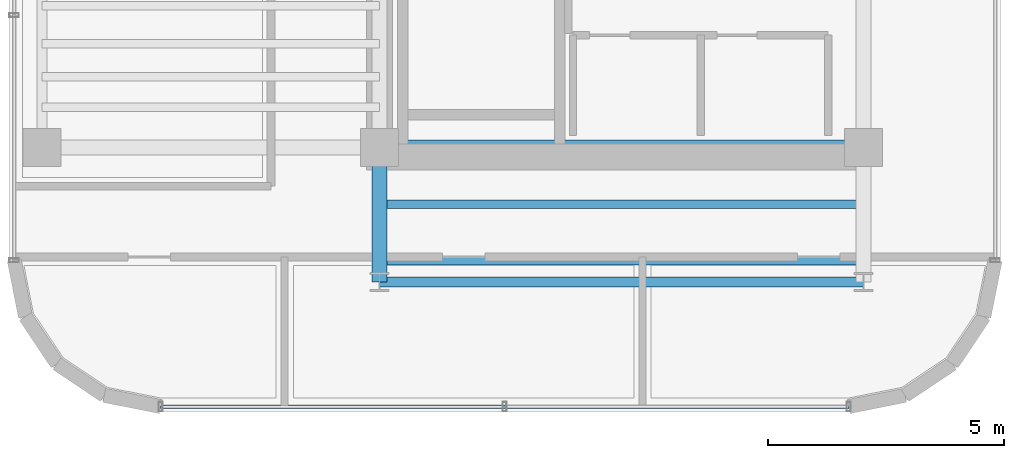
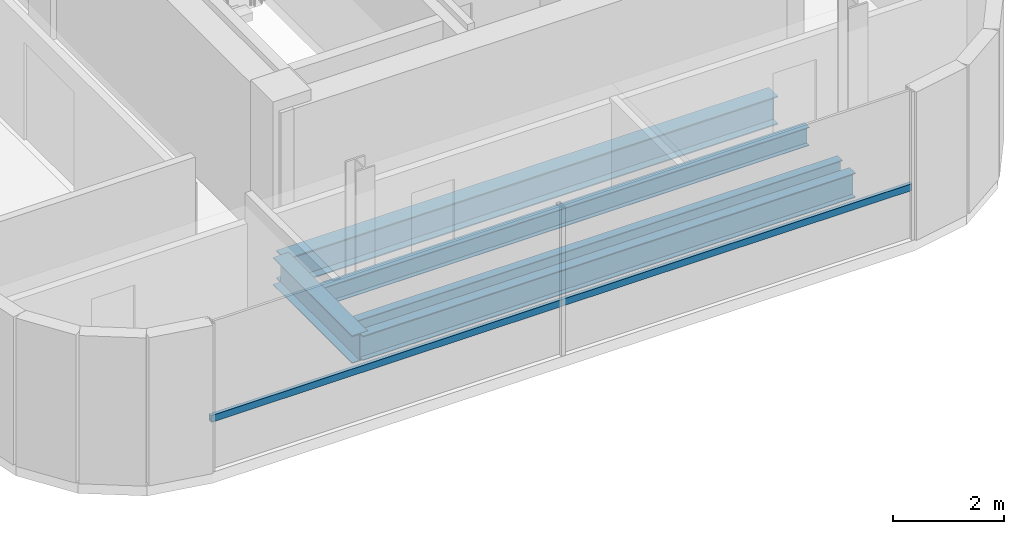
# One storey, part 3 of 18: 5 beams, 1 member, 1 element without a shape of its own.
"""IFC4 building model written with IfcOpenShell, lengths in metres."""

from ifc_helpers import new_model, si_unit, direction, frame, origin, origin_2d, place, context, subcontext, project, spatial, hollow_rectangle, i_section, extrude, source, transform, mapped, material, material_profile, profile_set, type_object, element, aggregate, save


model = new_model("IFC4")

# Units and contexts
model_context = context("Model", 3, precision=1e-05, world=origin(), true_north=direction((0.0, 1.0)))
body_context = subcontext(model_context, "Body", "Model", "MODEL_VIEW")
ifc_project = project(units=[si_unit("LENGTHUNIT", "METRE"), si_unit("AREAUNIT", "SQUARE_METRE"), si_unit("VOLUMEUNIT", "CUBIC_METRE"), si_unit("PLANEANGLEUNIT", "RADIAN"), si_unit("MASSUNIT", "GRAM", prefix="KILO")], contexts=[model_context])

# Site, building, storey
site_placement = place(None, origin())
site = spatial("IfcSite", under=ifc_project, at=site_placement, CompositionType="ELEMENT")
building_placement = place(site_placement, origin())
building = spatial("IfcBuilding", under=site, at=building_placement, Name="Valdorenza Pilgrim Sanctuary Tower", CompositionType="ELEMENT")
storey_placement = place(building_placement, frame((0.0, 0.0, 273.0)))
storey = spatial("IfcBuildingStorey", under=building, at=storey_placement, Name="L71", CompositionType="ELEMENT", Elevation=273.0)

# Beams
ifc_material_1 = material(Name="Steel ASTM A992 Grade 50", Category="steel")
ifc_material_profile_1 = material_profile(ifc_material_1, i_section(OverallWidth=0.323974609375, OverallDepth=0.611083984375, WebThickness=0.0126953125, FlangeThickness=0.01904296875, at=origin_2d()), Name="W24X104")
ifc_profile_set_1 = profile_set([ifc_material_profile_1], Name="Steel ASTM A992 Grade 50")
beam_type_1 = type_object("IfcBeamType", Name="STR-BM-GRD-W24B", PredefinedType="BEAM", material=ifc_profile_set_1)
shared_shape_1 = source(origin(), body_context, "Body", "SweptSolid", [
    extrude(i_section(OverallWidth=0.323974609375, OverallDepth=0.611083984375, WebThickness=0.0126953125, FlangeThickness=0.01904296875, at=origin_2d()), origin(), (0.0, 0.0, 1.0), 2.849853515625),
])
beam_1_placement = place(storey_placement, frame((-22.64990234375, -13.449951171875, -0.54541015625), z_axis=(0.0, 1.0, 0.0), x_axis=(-1.0, 0.0, 0.0)))
element("IfcBeam", 1, at=beam_1_placement, inside=storey, type_object=beam_type_1, Name="L71 Floor Girder WA-S-LW", PredefinedType="BEAM", context=body_context, shape_type="MappedRepresentation", body=[
    mapped(shared_shape_1, transform((0.0, 0.0, 0.0), x_axis=(1.0, 0.0, 0.0), y_axis=(0.0, 1.0, 0.0), z_axis=(0.0, 0.0, 1.0), scale=1.0)),
])
ifc_material_profile_2 = material_profile(ifc_material_1, i_section(OverallWidth=0.2109375, OverallDepth=0.5390625, WebThickness=0.01171875, FlangeThickness=0.018798828125, at=origin_2d()), Name="W21X73")
ifc_profile_set_2 = profile_set([ifc_material_profile_2], Name="Steel ASTM A992 Grade 50")
beam_type_2 = type_object("IfcBeamType", Name="STR-BM-SPN-W21B", PredefinedType="SPANDREL", material=ifc_profile_set_2)
shared_shape_2 = source(origin(), body_context, "Body", "SweptSolid", [
    extrude(i_section(OverallWidth=0.2109375, OverallDepth=0.5390625, WebThickness=0.01171875, FlangeThickness=0.018798828125, at=origin_2d()), origin(), (0.0, 0.0, 1.0), 10.25),
])
beam_2_placement = place(storey_placement, frame((-22.64990234375, -13.449951171875, -0.509521484375), z_axis=(1.0, 0.0, 0.0), x_axis=(0.0, 1.0, 0.0)))
element("IfcBeam", 2, at=beam_2_placement, inside=storey, type_object=beam_type_2, Name="L71 South Spandrel WA-S-TIE", PredefinedType="SPANDREL", context=body_context, shape_type="MappedRepresentation", body=[
    mapped(shared_shape_2, transform((0.0, 0.0, 0.0), x_axis=(1.0, 0.0, 0.0), y_axis=(0.0, 1.0, 0.0), z_axis=(0.0, 0.0, 1.0), scale=1.0)),
])
ifc_material_profile_3 = material_profile(ifc_material_1, i_section(OverallWidth=0.177978515625, OverallDepth=0.406005859375, WebThickness=0.0078125, FlangeThickness=0.0126953125, at=origin_2d()), Name="W16X40")
ifc_profile_set_3 = profile_set([ifc_material_profile_3], Name="Steel ASTM A992 Grade 50")
beam_type_3 = type_object("IfcBeamType", Name="STR-BM-JST-W16", PredefinedType="JOIST", material=ifc_profile_set_3)
shared_shape_3 = source(origin(), body_context, "Body", "SweptSolid", [
    extrude(i_section(OverallWidth=0.177978515625, OverallDepth=0.406005859375, WebThickness=0.0078125, FlangeThickness=0.0126953125, at=origin_2d()), origin(), (0.0, 0.0, 1.0), 10.25),
])
for number, where, z_axis, x_axis, name in (
    (3, (-22.64990234375, -13.0, -0.443115234375), (1.0, 0.0, 0.0), (0.0, 1.0, 0.0), "L71 Composite Floor Joist JST-WAS-1"),
    (4, (-22.64990234375, -11.800048828125, -0.443115234375), (1.0, 0.0, 0.0), (0.0, 1.0, 0.0), "L71 Composite Floor Joist JST-WAS-2"),
):
    element("IfcBeam", number, at=place(storey_placement, frame(where, z_axis=z_axis, x_axis=x_axis)), inside=storey, type_object=beam_type_3, Name=name, PredefinedType="JOIST", context=body_context, shape_type="MappedRepresentation", body=[
        mapped(shared_shape_3, transform((0.0, 0.0, 0.0), x_axis=(1.0, 0.0, 0.0), y_axis=(0.0, 1.0, 0.0), z_axis=(0.0, 0.0, 1.0), scale=1.0)),
    ])
ifc_material_profile_4 = material_profile(ifc_material_1, i_section(OverallWidth=0.326904296875, OverallDepth=0.6220703125, WebThickness=0.015380859375, FlangeThickness=0.0244140625, at=origin_2d()), Name="W24X131")
ifc_profile_set_4 = profile_set([ifc_material_profile_4], Name="Steel ASTM A992 Grade 50")
beam_type_4 = type_object("IfcBeamType", Name="STR-BM-GRD-W24A", PredefinedType="BEAM", material=ifc_profile_set_4)
shared_shape_4 = source(origin(), body_context, "Body", "SweptSolid", [
    extrude(i_section(OverallWidth=0.326904296875, OverallDepth=0.6220703125, WebThickness=0.015380859375, FlangeThickness=0.0244140625, at=origin_2d()), origin(), (0.0, 0.0, 1.0), 10.25),
])
beam_3_placement = place(storey_placement, frame((-22.64990234375, -10.60009765625, -0.551025390625), z_axis=(1.0, 0.0, 0.0), x_axis=(0.0, 1.0, 0.0)))
element("IfcBeam", 5, at=beam_3_placement, inside=storey, type_object=beam_type_4, Name="L71 Floor Girder CA-XC-S1", PredefinedType="BEAM", context=body_context, shape_type="MappedRepresentation", body=[
    mapped(shared_shape_4, transform((0.0, 0.0, 0.0), x_axis=(1.0, 0.0, 0.0), y_axis=(0.0, 1.0, 0.0), z_axis=(0.0, 0.0, 1.0), scale=1.0)),
])

# Curtain wall, member
ifc_material_2 = material(Name="Curtain-wall IGU glazing", Category="glass")
curtain_wall_type = type_object("IfcCurtainWallType", Name="CW-SYS-02", PredefinedType="NOTDEFINED", material=ifc_material_2)
curtain_wall_placement = place(storey_placement, origin())
curtain_wall = element("IfcCurtainWall", 6, at=curtain_wall_placement, inside=storey, type_object=curtain_wall_type, Name="L71 Curtain Wall CW-L71-1-26", PredefinedType="NOTDEFINED")
ifc_material_3 = material(Name="Anodised aluminium AW-6060", Category="aluminium")
ifc_material_profile_5 = material_profile(ifc_material_3, hollow_rectangle(XDim=0.074951171875, YDim=0.14990234375, WallThickness=0.00390625, at=origin_2d()), Name="ALU-T 150x75x4")
ifc_profile_set_5 = profile_set([ifc_material_profile_5], Name="Anodised aluminium AW-6060")
member_type = type_object("IfcMemberType", Name="CW-TRN-02", PredefinedType="USERDEFINED", material=ifc_profile_set_5)
shared_shape_5 = source(origin(), body_context, "Body", "SweptSolid", [
    extrude(hollow_rectangle(XDim=0.074951171875, YDim=0.14990234375, WallThickness=0.00390625, at=origin_2d()), origin(), (0.0, 0.0, 1.0), 14.57861328125),
])
member_placement = place(storey_placement, frame((-12.710693359375, -16.090087890625, 1.1201171875), z_axis=(-1.0, 0.0, 0.0), x_axis=(0.0, -1.0, 0.0)))
member = element("IfcMember", 7, at=member_placement, type_object=member_type, Name="CW-L71-1-26 Transom 1", ObjectType="TRANSOM", PredefinedType="USERDEFINED", context=body_context, shape_type="MappedRepresentation", body=[
    mapped(shared_shape_5, transform((0.0, 0.0, 0.0), x_axis=(1.0, 0.0, 0.0), y_axis=(0.0, 1.0, 0.0), z_axis=(0.0, 0.0, 1.0), scale=1.0)),
])
aggregate(curtain_wall, [member])

save(model, "model.ifc")
